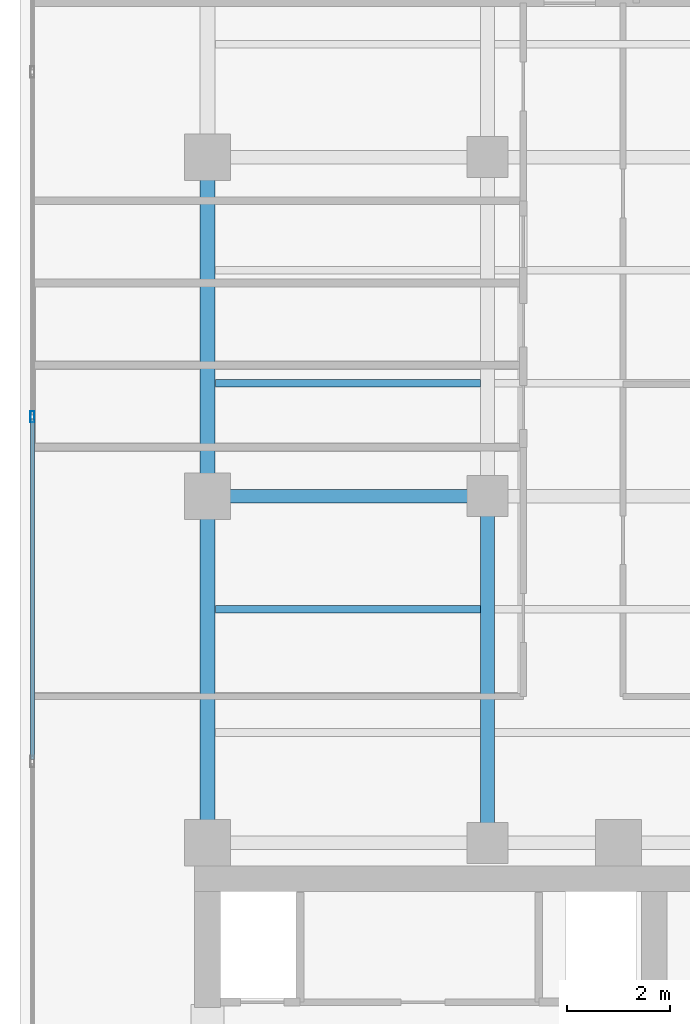
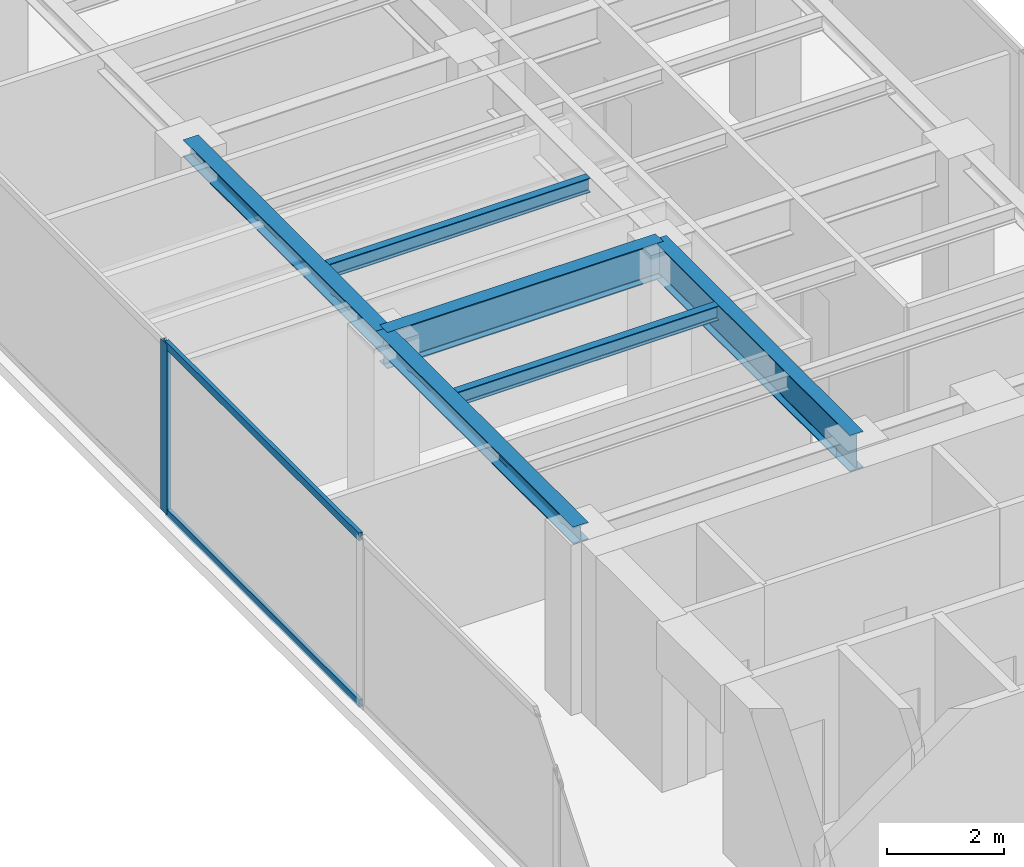
# One storey, part 8 of 23: 6 beams, 3 members, 1 element without a shape of its own.
"""IFC4 building model written with IfcOpenShell, lengths in metres."""

from ifc_helpers import new_model, si_unit, direction, frame, origin, origin_with_axes, origin_2d, place, context, subcontext, project, spatial, hollow_rectangle, i_section, extrude, source, transform, mapped, material, layer, layer_set, material_profile, profile_set, type_object, element, aggregate, save


model = new_model("IFC4")

# Units and contexts
model_context = context("Model", 3, precision=1e-05, world=origin(), true_north=direction((0.0, 1.0)))
body_context = subcontext(model_context, "Body", "Model", "MODEL_VIEW")
ifc_project = project(units=[si_unit("LENGTHUNIT", "METRE"), si_unit("AREAUNIT", "SQUARE_METRE"), si_unit("VOLUMEUNIT", "CUBIC_METRE"), si_unit("PLANEANGLEUNIT", "RADIAN"), si_unit("MASSUNIT", "GRAM", prefix="KILO")], contexts=[model_context])

# Site, building, storey
site_placement = place(None, origin())
site = spatial("IfcSite", under=ifc_project, at=site_placement, CompositionType="ELEMENT")
building_placement = place(site_placement, origin())
building = spatial("IfcBuilding", under=site, at=building_placement, Name="Kolvaren Waterfront Exchange", CompositionType="ELEMENT")
storey_placement = place(building_placement, frame((0.0, 0.0, 297.0)))
storey = spatial("IfcBuildingStorey", under=building, at=storey_placement, Name="L76", CompositionType="ELEMENT", Elevation=297.0)

# Beams
ifc_material_1 = material(Name="Steel S355", Category="steel")
ifc_material_profile_1 = material_profile(ifc_material_1, i_section(OverallWidth=0.300048828125, OverallDepth=0.360107421875, WebThickness=0.012451171875, FlangeThickness=0.0224609375, FilletRadius=0.027099609375, at=origin_2d()), Name="HEB360")
ifc_profile_set_1 = profile_set([ifc_material_profile_1], Name="Steel S355")
beam_type_1 = type_object("IfcBeamType", Name="STR-BM-HEB360", PredefinedType="SPANDREL", material=ifc_profile_set_1)
beam_1_placement = place(storey_placement, frame((7.449951171875, 24.449951171875, 3.3798828125), z_axis=(0.0, 1.0, 0.0), x_axis=(-1.0, 0.0, 0.0)))
element("IfcBeam", 1, at=beam_1_placement, inside=storey, type_object=beam_type_1, Name="L76 north-arm edge beam 1", PredefinedType="SPANDREL", context=body_context, shape_type="SweptSolid", body=[
    extrude(i_section(OverallWidth=0.300048828125, OverallDepth=0.360107421875, WebThickness=0.012451171875, FlangeThickness=0.0224609375, FilletRadius=0.027099609375, at=origin_2d()), origin(), (0.0, 0.0, 1.0), 6.75),
])
beam_2_placement = place(storey_placement, frame((7.449951171875, 31.199951171875, 3.3798828125), z_axis=(0.0, 1.0, 0.0), x_axis=(-1.0, 0.0, 0.0)))
element("IfcBeam", 2, at=beam_2_placement, inside=storey, type_object=beam_type_1, Name="L76 north-arm edge beam 2", PredefinedType="SPANDREL", context=body_context, shape_type="SweptSolid", body=[
    extrude(i_section(OverallWidth=0.300048828125, OverallDepth=0.360107421875, WebThickness=0.012451171875, FlangeThickness=0.0224609375, FilletRadius=0.027099609375, at=origin_2d()), origin(), (0.0, 0.0, 1.0), 6.60009765625),
])
ifc_material_profile_2 = material_profile(ifc_material_1, i_section(OverallWidth=0.14990234375, OverallDepth=0.300048828125, WebThickness=0.007080078125, FlangeThickness=0.0107421875, FilletRadius=0.014892578125, at=origin_2d()), Name="IPE300")
ifc_profile_set_2 = profile_set([ifc_material_profile_2], Name="Steel S355")
beam_type_2 = type_object("IfcBeamType", Name="STR-BM-IPE300", PredefinedType="JOIST", material=ifc_profile_set_2)
for number, where, z_axis, x_axis, name in (
    (3, (7.60205078125, 29.0, 3.409912109375), (1.0, 0.0, 0.0), (0.0, 1.0, 0.0), "L76 north-arm composite joist 2A"),
    (4, (7.60205078125, 33.39990234375, 3.409912109375), (1.0, 0.0, 0.0), (0.0, 1.0, 0.0), "L76 north-arm composite joist 3A"),
):
    element("IfcBeam", number, at=place(storey_placement, frame(where, z_axis=z_axis, x_axis=x_axis)), inside=storey, type_object=beam_type_2, Name=name, PredefinedType="JOIST", context=body_context, shape_type="SweptSolid", body=[
        extrude(i_section(OverallWidth=0.14990234375, OverallDepth=0.300048828125, WebThickness=0.007080078125, FlangeThickness=0.0107421875, FilletRadius=0.014892578125, at=origin_2d()), origin(), (0.0, 0.0, 1.0), 5.162353515625),
    ])
ifc_material_profile_3 = material_profile(ifc_material_1, i_section(OverallWidth=0.26708984375, OverallDepth=0.761962890625, WebThickness=0.014404296875, FlangeThickness=0.021484375, FilletRadius=0.01708984375, at=origin_2d()), Name="IPE750x173")
ifc_profile_set_3 = profile_set([ifc_material_profile_3], Name="Steel S355")
beam_type_3 = type_object("IfcBeamType", Name="STR-BM-IPE750", PredefinedType="BEAM", material=ifc_profile_set_3)
beam_3_placement = place(storey_placement, frame((7.449951171875, 31.199951171875, 3.178955078125), z_axis=(1.0, 0.0, 0.0), x_axis=(0.0, 1.0, 0.0)))
element("IfcBeam", 5, at=beam_3_placement, inside=storey, type_object=beam_type_3, Name="L76 north-arm girder 2A", PredefinedType="BEAM", context=body_context, shape_type="SweptSolid", body=[
    extrude(i_section(OverallWidth=0.26708984375, OverallDepth=0.761962890625, WebThickness=0.014404296875, FlangeThickness=0.021484375, FilletRadius=0.01708984375, at=origin_2d()), origin(), (0.0, 0.0, 1.0), 5.449951171875),
])
beam_4_placement = place(storey_placement, frame((12.89990234375, 24.449951171875, 3.178955078125), z_axis=(0.0, 1.0, 0.0), x_axis=(-1.0, 0.0, 0.0)))
element("IfcBeam", 6, at=beam_4_placement, inside=storey, type_object=beam_type_3, Name="L76 north-arm edge beam 1", PredefinedType="BEAM", context=body_context, shape_type="SweptSolid", body=[
    extrude(i_section(OverallWidth=0.26708984375, OverallDepth=0.761962890625, WebThickness=0.014404296875, FlangeThickness=0.021484375, FilletRadius=0.01708984375, at=origin_2d()), origin(), (0.0, 0.0, 1.0), 6.75),
])

# Curtain wall, members
ifc_material_2 = material(Name="Anodised aluminium 6063-T6", Category="aluminium")
ifc_layer = layer(ifc_material_2, 0.219970703125, Name="Anodised aluminium 6063-T6")
ifc_layer_set = layer_set([ifc_layer], Name="Anodised aluminium 6063-T6")
curtain_wall_type = type_object("IfcCurtainWallType", Name="ARC-CW-SYS2", PredefinedType="USERDEFINED", material=ifc_layer_set)
curtain_wall_placement = place(storey_placement, origin())
curtain_wall = element("IfcCurtainWall", 7, at=curtain_wall_placement, inside=storey, type_object=curtain_wall_type, Name="L76 stick curtain wall CW2 (CW-L76-W)", ObjectType="STICK CURTAIN WALL", PredefinedType="USERDEFINED")
ifc_material_profile_4 = material_profile(ifc_material_2, hollow_rectangle(XDim=0.080078125, YDim=0.219970703125, WallThickness=0.0048828125, at=origin_2d()), Name="ALU-MUL-220x80x5")
ifc_profile_set_4 = profile_set([ifc_material_profile_4], Name="Anodised aluminium 6063-T6")
member_type_1 = type_object("IfcMemberType", Name="ARC-CWM-220", PredefinedType="MULLION", material=ifc_profile_set_4)
shared_shape_1 = source(origin_with_axes(), body_context, "Body", "SweptSolid", [
    extrude(hollow_rectangle(XDim=0.080078125, YDim=0.219970703125, WallThickness=0.0048828125, at=origin_2d()), origin(), (0.0, 0.0, 1.0), 3.56005859375),
])
member_1_placement = place(storey_placement, frame((4.0400390625, 32.74560546875, 0.0), z_axis=(0.0, 0.0, 1.0), x_axis=(-1.0, 0.0, 0.0)))
member_1 = element("IfcMember", 8, at=member_1_placement, type_object=member_type_1, Name="CW2 mullion 5", PredefinedType="MULLION", context=body_context, shape_type="MappedRepresentation", body=[
    mapped(shared_shape_1, transform((0.0, 0.0, 0.0), x_axis=(1.0, 0.0, 0.0), y_axis=(0.0, 1.0, 0.0), z_axis=(0.0, 0.0, 1.0), scale=1.0)),
])
ifc_material_profile_5 = material_profile(ifc_material_2, hollow_rectangle(XDim=0.074951171875, YDim=0.159912109375, WallThickness=0.00439453125, at=origin_2d()), Name="ALU-TRN-160x75x4.5")
ifc_profile_set_5 = profile_set([ifc_material_profile_5], Name="Anodised aluminium 6063-T6")
member_type_2 = type_object("IfcMemberType", Name="ARC-CWT-160", PredefinedType="USERDEFINED", material=ifc_profile_set_5)
shared_shape_2 = source(origin_with_axes(), body_context, "Body", "SweptSolid", [
    extrude(hollow_rectangle(XDim=0.074951171875, YDim=0.159912109375, WallThickness=0.00439453125, at=origin_2d()), origin(), (0.0, 0.0, 1.0), 6.63134765625),
])
member_2_placement = place(storey_placement, frame((4.0400390625, 26.07421875, 0.03759765625), z_axis=(0.0, 1.0, 0.0), x_axis=(-1.0, 0.0, 0.0)))
member_2 = element("IfcMember", 9, at=member_2_placement, type_object=member_type_2, Name="CW2 transom 4.1", ObjectType="TRANSOM", PredefinedType="USERDEFINED", context=body_context, shape_type="MappedRepresentation", body=[
    mapped(shared_shape_2, transform((0.0, 0.0, 0.0), x_axis=(1.0, 0.0, 0.0), y_axis=(0.0, 1.0, 0.0), z_axis=(0.0, 0.0, 1.0), scale=1.0)),
])
member_3_placement = place(storey_placement, frame((4.0400390625, 26.07421875, 3.5224609375), z_axis=(0.0, 1.0, 0.0), x_axis=(-1.0, 0.0, 0.0)))
member_3 = element("IfcMember", 10, at=member_3_placement, type_object=member_type_2, Name="CW2 transom 4.2", ObjectType="TRANSOM", PredefinedType="USERDEFINED", context=body_context, shape_type="MappedRepresentation", body=[
    mapped(shared_shape_2, transform((0.0, 0.0, 0.0), x_axis=(1.0, 0.0, 0.0), y_axis=(0.0, 1.0, 0.0), z_axis=(0.0, 0.0, 1.0), scale=1.0)),
])
aggregate(curtain_wall, [member_1, member_2, member_3])

save(model, "model.ifc")
